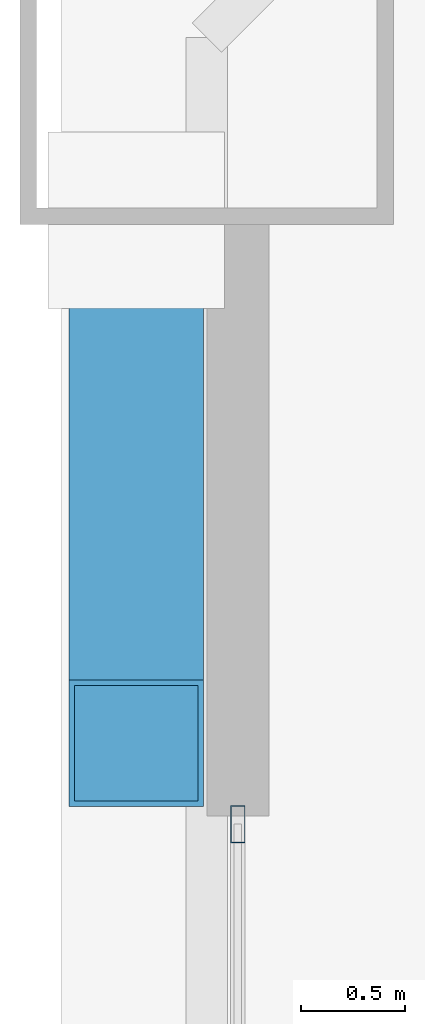
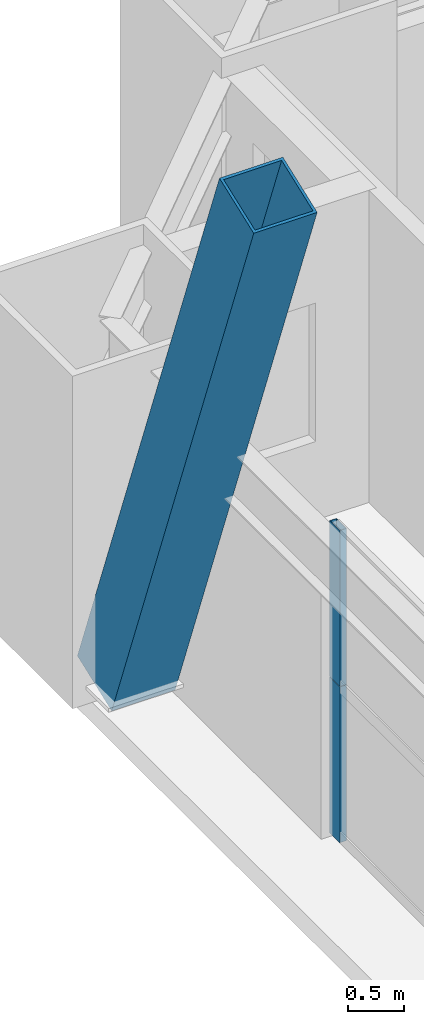
# One storey, part 24 of 43: 3 members, 1 element without a shape of its own.
"""IFC4 building model written with IfcOpenShell, lengths in metres."""

import ifcopenshell
import ifcopenshell.guid

model = None  # the IFC model being written
_history = None  # IfcOwnerHistory: only IFC2X3 demands one
_inside = {}  # id of a spatial element -> (the spatial element, [elements in it])
_under = {}  # id of a project, library or spatial element -> (it, [spatial elements below it])
_declared = {}  # id of a project -> (the project, [libraries it declares])
_typed = {}  # id of a type object -> (the type object, [elements of that type])
_made_of = {}  # id of a material, layer set ... -> (it, [elements and type objects made of it])


def new_model(schema):
    """Start an empty IFC model of exactly this schema.

    Asked for "IFC4X3", IfcOpenShell would pick the latest addendum, in which some entities
    have other attributes; the version numbers below select the first issue.
    IFC2X3 requires an IfcOwnerHistory on every rooted entity: one is made here for all.
    """
    global model, _history
    if schema == "IFC4X3":
        model = ifcopenshell.file(schema_version=(4, 3, 0, 0))
    else:
        model = ifcopenshell.file(schema=schema)
    _inside.clear()
    _under.clear()
    _declared.clear()
    _typed.clear()
    _made_of.clear()
    _history = None
    if model.schema == "IFC2X3":
        org = make("IfcOrganization", Name="unknown")
        user = make(
            "IfcPersonAndOrganization",
            ThePerson=make("IfcPerson", FamilyName="unknown"),
            TheOrganization=org,
        )
        app = make(
            "IfcApplication",
            ApplicationDeveloper=org,
            Version="unknown",
            ApplicationFullName="unknown",
            ApplicationIdentifier="unknown",
        )
        _history = make(
            "IfcOwnerHistory",
            OwningUser=user,
            OwningApplication=app,
            ChangeAction="ADDED",
            CreationDate=0,
        )
    return model


def make(cls, **values):
    """One entity of the class cls with the attributes given. An attribute that is None is left unset."""
    return model.create_entity(
        cls, **{name: value for name, value in values.items() if value is not None}
    )


def rooted(cls, **values):
    """An entity with a GlobalId (a new one), such as an element, a storey or a relation."""
    return make(cls, GlobalId=ifcopenshell.guid.new(), OwnerHistory=_history, **values)


def si_unit(unit_type, name, prefix=None):
    """IfcSIUnit, for example si_unit("LENGTHUNIT", "METRE", prefix="MILLI")."""
    return make("IfcSIUnit", UnitType=unit_type, Prefix=prefix, Name=name)


def assignment(units):
    """IfcUnitAssignment: the units of a project."""
    return None if units is None else make("IfcUnitAssignment", Units=units)


def point(xyz):
    """IfcCartesianPoint."""
    return None if xyz is None else make("IfcCartesianPoint", Coordinates=xyz)


def direction(xyz):
    """IfcDirection."""
    return None if xyz is None else make("IfcDirection", DirectionRatios=xyz)


def frame(location, z_axis=None, x_axis=None):
    """IfcAxis2Placement3D, a coordinate frame: its origin and axes. An axis left out is left unset."""
    return make(
        "IfcAxis2Placement3D",
        Location=point(location),
        Axis=direction(z_axis),
        RefDirection=direction(x_axis),
    )


def frame_2d(location, x_axis=None):
    """IfcAxis2Placement2D, a coordinate frame in the plane: its origin and x axis."""
    return make(
        "IfcAxis2Placement2D", Location=point(location), RefDirection=direction(x_axis)
    )


def origin():
    """The frame at (0, 0, 0) with its axes left unset."""
    return frame((0.0, 0.0, 0.0))


def origin_2d():
    """The frame at (0, 0) in the plane with its x axis left unset."""
    return frame_2d((0.0, 0.0))


def place(relative_to, where):
    """IfcLocalPlacement: puts the frame where relative to a parent placement (None: the world)."""
    return make(
        "IfcLocalPlacement", PlacementRelTo=relative_to, RelativePlacement=where
    )


def context(
    kind, dimensions, precision=None, world=None, true_north=None, identifier=None
):
    """IfcGeometricRepresentationContext, for example the 3D "Model" context."""
    return make(
        "IfcGeometricRepresentationContext",
        ContextIdentifier=identifier,
        ContextType=kind,
        CoordinateSpaceDimension=dimensions,
        Precision=precision,
        WorldCoordinateSystem=world,
        TrueNorth=true_north,
    )


def subcontext(parent, identifier, kind, view, scale=None):
    """IfcGeometricRepresentationSubContext, for example "Body" below "Model"."""
    return make(
        "IfcGeometricRepresentationSubContext",
        ContextIdentifier=identifier,
        ContextType=kind,
        ParentContext=parent,
        TargetScale=scale,
        TargetView=view,
    )


def project(units=None, contexts=None):
    """IfcProject with its units and contexts."""
    return rooted(
        "IfcProject",
        Name="project",
        RepresentationContexts=contexts,
        UnitsInContext=assignment(units),
    )


def spatial(cls, under=None, at=None, **own):
    """A site, building, storey or space (cls), placed at a placement, below another one or the project."""
    s = rooted(cls, ObjectPlacement=at, **own)
    if under is not None:
        _under.setdefault(under.id(), (under, []))[1].append(s)
    return s


def profile(cls, at=None, kind="AREA", **sizes):
    """A parametric profile (cls). Its sizes go by their IFC names, for example OverallWidth=200.0."""
    return make(cls, ProfileType=kind, Position=at, **sizes)


def hollow_rectangle(**sizes):
    """IfcRectangleHollowProfileDef."""
    return profile("IfcRectangleHollowProfileDef", **sizes)


def extrude(swept, where, along, depth):
    """IfcExtrudedAreaSolid: the profile swept, set in the frame where, extruded along a direction by depth."""
    return make(
        "IfcExtrudedAreaSolid",
        SweptArea=swept,
        Position=where,
        ExtrudedDirection=direction(along),
        Depth=depth,
    )


def shape(context_of_items, identifier, shape_type, items):
    """IfcShapeRepresentation: the items that make up one representation, for example the "Body"."""
    return make(
        "IfcShapeRepresentation",
        ContextOfItems=context_of_items,
        RepresentationIdentifier=identifier,
        RepresentationType=shape_type,
        Items=items,
    )


def source(mapping_origin, context_of_items, identifier, shape_type, items):
    """IfcRepresentationMap: a shape defined once, which mapped items show again and again."""
    return make(
        "IfcRepresentationMap",
        MappingOrigin=mapping_origin,
        MappedRepresentation=shape(context_of_items, identifier, shape_type, items),
    )


def transform(
    local_origin,
    x_axis=None,
    y_axis=None,
    z_axis=None,
    scale=None,
    scale2=None,
    scale3=None,
    uniform=True,
):
    """IfcCartesianTransformationOperator3D, or its non-uniform kind. x_axis, y_axis, z_axis: its Axis1, 2, 3."""
    if uniform:
        return make(
            "IfcCartesianTransformationOperator3D",
            Axis1=direction(x_axis),
            Axis2=direction(y_axis),
            LocalOrigin=point(local_origin),
            Scale=scale,
            Axis3=direction(z_axis),
        )
    return make(
        "IfcCartesianTransformationOperator3DnonUniform",
        Axis1=direction(x_axis),
        Axis2=direction(y_axis),
        LocalOrigin=point(local_origin),
        Scale=scale,
        Axis3=direction(z_axis),
        Scale2=scale2,
        Scale3=scale3,
    )


def mapped(mapping_source, mapping_target):
    """IfcMappedItem: shows the shape of a source again, moved by a transform."""
    return make(
        "IfcMappedItem", MappingSource=mapping_source, MappingTarget=mapping_target
    )


def material(Name=None, Category=None):
    """IfcMaterial."""
    return make("IfcMaterial", Name=Name, Category=Category)


def layer(
    of_material, thickness, ventilated=None, Name=None, Category=None, Priority=None
):
    """IfcMaterialLayer: one layer of a wall or slab, of a material (None: an air gap)."""
    return make(
        "IfcMaterialLayer",
        Material=of_material,
        LayerThickness=thickness,
        IsVentilated=ventilated,
        Name=Name,
        Category=Category,
        Priority=Priority,
    )


def layer_set(layers, Name=None):
    """IfcMaterialLayerSet."""
    return make("IfcMaterialLayerSet", MaterialLayers=layers, LayerSetName=Name)


def material_profile(
    of_material, cross_section, Name=None, Category=None, Priority=None
):
    """IfcMaterialProfile: a cross section and its material."""
    return make(
        "IfcMaterialProfile",
        Name=Name,
        Material=of_material,
        Profile=cross_section,
        Priority=Priority,
        Category=Category,
    )


def profile_set(profiles, Name=None, composite=None):
    """IfcMaterialProfileSet."""
    return make(
        "IfcMaterialProfileSet",
        Name=Name,
        MaterialProfiles=profiles,
        CompositeProfile=composite,
    )


def made_of(thing, what):
    """Note that an element or type object is made of a material, layer set ...; save() writes the relation."""
    if what is not None:
        _made_of.setdefault(what.id(), (what, []))[1].append(thing)
    return thing


def type_object(cls, material=None, **own):
    """A type object (cls), such as IfcWallType, which elements share."""
    return made_of(rooted(cls, **own), material)


def element(
    cls,
    number,
    at=None,
    inside=None,
    cuts=None,
    type_object=None,
    material=None,
    context=None,
    identifier="Body",
    shape_type=None,
    held_by="IfcProductDefinitionShape",
    body=None,
    shapes=None,
    **own,
):
    """One element of the class cls, such as IfcWall. Its Tag is "e" and its number.

    at: its placement. inside: the storey or other place that contains it. cuts: it is an
    opening in that element (IfcRelVoidsElement). A single representation is given by context,
    identifier, shape_type and body (its items); several are given by shapes. held_by: the class
    of the entity that holds the representations. save() writes the other relations.
    """
    e = rooted(cls, Tag="e%d" % number, ObjectPlacement=at, **own)
    if body is not None:
        shapes = [shape(context, identifier, shape_type, body)]
    if shapes is not None:
        e.Representation = make(held_by, Representations=shapes)
    if inside is not None:
        _inside.setdefault(inside.id(), (inside, []))[1].append(e)
    if cuts is not None:
        rooted(
            "IfcRelVoidsElement", RelatingBuildingElement=cuts, RelatedOpeningElement=e
        )
    if type_object is not None:
        _typed.setdefault(type_object.id(), (type_object, []))[1].append(e)
    return made_of(e, material)


def aggregate(whole, parts):
    """IfcRelAggregates: a whole, such as a stair, and the parts it consists of."""
    return rooted("IfcRelAggregates", RelatingObject=whole, RelatedObjects=parts)


def save(model, path):
    """Write the relations noted so far, then the file.

    IfcRelAggregates (storeys below a building ...), IfcRelContainedInSpatialStructure (elements
    in a storey), IfcRelDefinesByType, IfcRelAssociatesMaterial and IfcRelDeclares: one each for
    every whole, place, type object, material and project.
    """
    for whole, parts in _under.values():
        aggregate(whole, parts)
    for where, things in _inside.values():
        rooted(
            "IfcRelContainedInSpatialStructure",
            RelatedElements=things,
            RelatingStructure=where,
        )
    for kind, things in _typed.values():
        rooted("IfcRelDefinesByType", RelatedObjects=things, RelatingType=kind)
    for what, things in _made_of.values():
        rooted("IfcRelAssociatesMaterial", RelatedObjects=things, RelatingMaterial=what)
    for by, libraries in _declared.values():
        rooted("IfcRelDeclares", RelatingContext=by, RelatedDefinitions=libraries)
    model.write(path)


model = new_model("IFC4")

# Units and contexts
model_context = context("Model", 3, precision=1e-05, world=origin(), true_north=direction((0.0, 1.0)))
body_context = subcontext(model_context, "Body", "Model", "MODEL_VIEW")
ifc_project = project(units=[si_unit("LENGTHUNIT", "METRE"), si_unit("AREAUNIT", "SQUARE_METRE"), si_unit("VOLUMEUNIT", "CUBIC_METRE"), si_unit("PLANEANGLEUNIT", "RADIAN"), si_unit("MASSUNIT", "GRAM", prefix="KILO"), si_unit("THERMODYNAMICTEMPERATUREUNIT", "KELVIN"), si_unit("POWERUNIT", "WATT")], contexts=[model_context])

# Site, building, storey
site_placement = place(None, origin())
site = spatial("IfcSite", under=ifc_project, at=site_placement, CompositionType="ELEMENT")
building_placement = place(site_placement, origin())
building = spatial("IfcBuilding", under=site, at=building_placement, Name="Yuzanri Waterfront Tower", CompositionType="ELEMENT")
storey_placement = place(building_placement, frame((0.0, 0.0, 67.60009765625)))
storey = spatial("IfcBuildingStorey", under=building, at=storey_placement, Name="L17", CompositionType="ELEMENT", Elevation=67.60009765625)

# Member
ifc_material_1 = material(Name="Steel Q420GJC", Category="steel")
ifc_material_profile_1 = material_profile(ifc_material_1, hollow_rectangle(XDim=0.64990234375, YDim=0.64990234375, WallThickness=0.028076171875, at=origin_2d()), Name="RHS 650x650x28")
ifc_profile_set_1 = profile_set([ifc_material_profile_1], Name="Steel Q420GJC")
member_type_1 = type_object("IfcMemberType", Name="Mega Brace Lower Q420GJC RHS 650x650x28", PredefinedType="BRACE", material=ifc_profile_set_1)
shared_shape_1 = source(origin(), body_context, "Body", "SweptSolid", [
    extrude(hollow_rectangle(XDim=0.64990234375, YDim=0.64990234375, WallThickness=0.028076171875, at=origin_2d()), origin(), (0.0, 0.0, 1.0), 7.158203125),
])
member_1_placement = place(storey_placement, frame((11.56005859375, 46.419921875, 0.179931640625), z_axis=(0.0, -0.352046480343, 0.935982518896), x_axis=(1.0, 0.0, 0.0)))
element("IfcMember", 1, at=member_1_placement, inside=storey, type_object=member_type_1, Name="L17-L18 Perimeter Mega-Brace W-R", PredefinedType="BRACE", context=body_context, shape_type="MappedRepresentation", body=[
    mapped(shared_shape_1, transform((0.0, 0.0, 0.0), scale=1.0)),
])

# Curtain wall, members
ifc_material_2 = material(Name="Anodized Architectural Bronze", Category="metal")
ifc_layer = layer(ifc_material_2, 0.159912109375)
ifc_layer_set = layer_set([ifc_layer], Name="Anodized Architectural Bronze")
curtain_wall_type = type_object("IfcCurtainWallType", Name="Anodized Bronze Hotel Lower-Tier Recessed Unitized Curtain Wall 8100", PredefinedType="NOTDEFINED", material=ifc_layer_set)
curtain_wall_placement = place(storey_placement, origin())
curtain_wall = element("IfcCurtainWall", 2, at=curtain_wall_placement, inside=storey, type_object=curtain_wall_type, Name="L17 Curtain Wall CW-L17-WR", PredefinedType="NOTDEFINED")
ifc_material_3 = material(Name="Anodized Architectural Bronze", Category="metal")
ifc_material_profile_2 = material_profile(ifc_material_3, hollow_rectangle(XDim=0.070068359375, YDim=0.179931640625, WallThickness=0.00390625, at=origin_2d()), Name="CWM 70x180")
ifc_profile_set_2 = profile_set([ifc_material_profile_2], Name="Anodized Architectural Bronze")
member_type_2 = type_object("IfcMemberType", Name="Anodized Bronze Standard Curtain-Wall Mullion 70x180", PredefinedType="MULLION", material=ifc_profile_set_2)
shared_shape_2 = source(origin(), body_context, "Body", "SweptSolid", [
    extrude(hollow_rectangle(XDim=0.070068359375, YDim=0.179931640625, WallThickness=0.00390625, at=origin_2d()), origin(), (0.0, 0.0, 1.0), 1.68798828125),
])
member_2_placement = place(storey_placement, frame((12.050048828125, 43.510009765625, 0.0), z_axis=(0.0, 0.0, 1.0), x_axis=(1.0, 0.0, 0.0)))
member_2 = element("IfcMember", 3, at=member_2_placement, type_object=member_type_2, Name="CW-L17-WR Lower Mullion 02", PredefinedType="MULLION", context=body_context, shape_type="MappedRepresentation", body=[
    mapped(shared_shape_2, transform((0.0, 0.0, 0.0), scale=1.0)),
])
member_3_placement = place(storey_placement, frame((12.050048828125, 43.510009765625, 1.69189453125), z_axis=(0.0, 0.0, 1.0), x_axis=(1.0, 0.0, 0.0)))
member_3 = element("IfcMember", 4, at=member_3_placement, type_object=member_type_2, Name="CW-L17-WR Upper Mullion 02", PredefinedType="MULLION", context=body_context, shape_type="MappedRepresentation", body=[
    mapped(shared_shape_2, transform((0.0, 0.0, 0.0), scale=1.0)),
])
aggregate(curtain_wall, [member_2, member_3])

save(model, "model.ifc")
